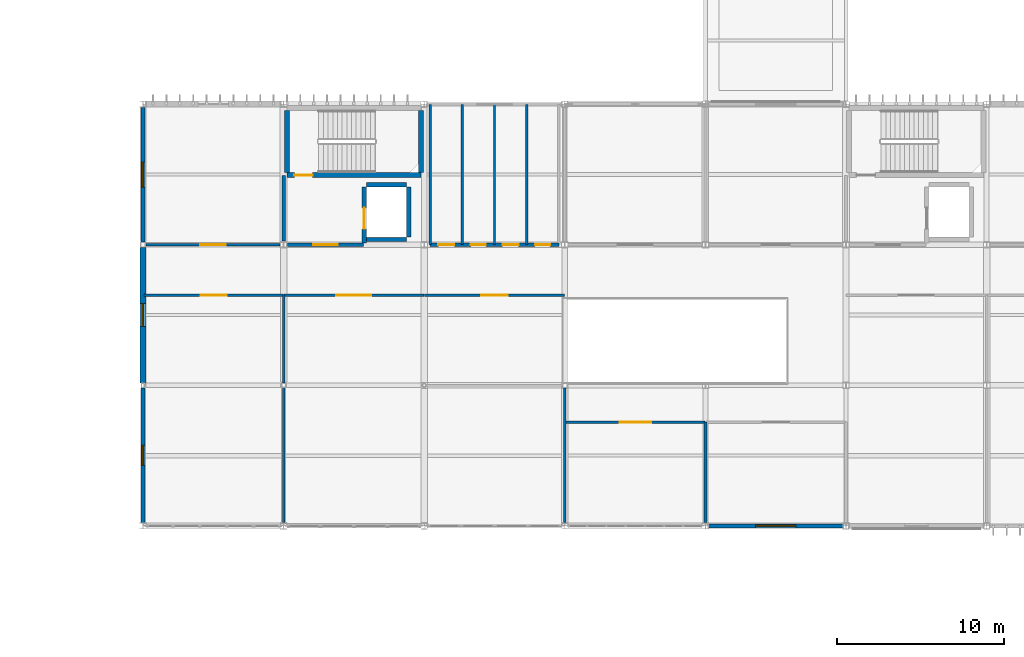
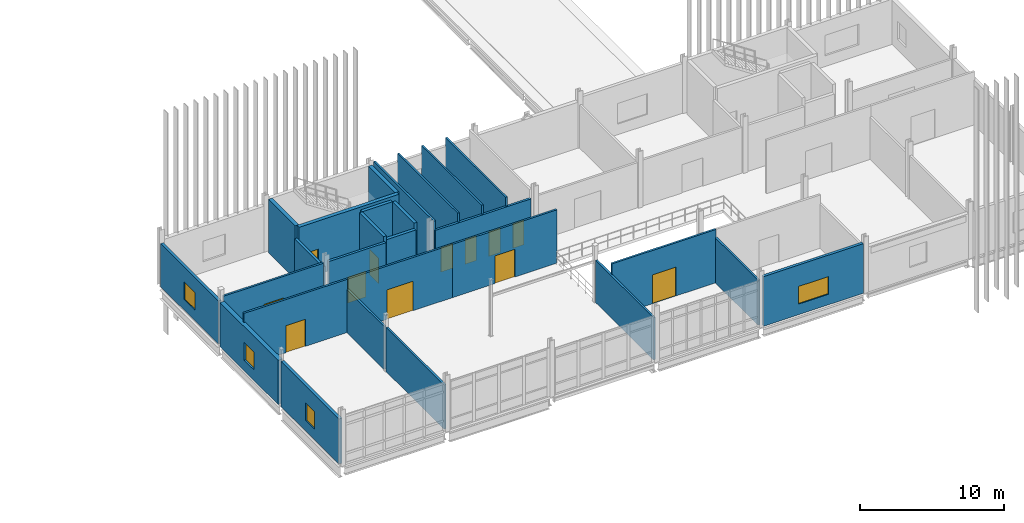
# One storey, part 49 of 72: 27 walls, 12 doors, 4 windows, 16 openings.
"""IFC4 building model written with IfcOpenShell, lengths in metres."""

from ifc_helpers import new_model, si_unit, direction, frame, frame_2d, origin, place, context, subcontext, project, spatial, rectangle, extrude, material, layer, layer_set, type_object, element, fill, save


model = new_model("IFC4")

# Units and contexts
model_context = context("Model", 3, precision=1e-05, world=origin(), true_north=direction((0.0, 1.0)))
body_context = subcontext(model_context, "Body", "Model", "MODEL_VIEW")
ifc_project = project(units=[si_unit("LENGTHUNIT", "METRE"), si_unit("AREAUNIT", "SQUARE_METRE"), si_unit("VOLUMEUNIT", "CUBIC_METRE"), si_unit("PLANEANGLEUNIT", "RADIAN"), si_unit("MASSUNIT", "GRAM", prefix="KILO")], contexts=[model_context])

# Site, building, storey
site_placement = place(None, origin())
site = spatial("IfcSite", under=ifc_project, at=site_placement, CompositionType="ELEMENT")
building_placement = place(site_placement, origin())
building = spatial("IfcBuilding", under=site, at=building_placement, Name="Calvrana Isthmian Art Gallery", CompositionType="ELEMENT")
storey_placement = place(building_placement, frame((0.0, 0.0, 15.0)))
storey = spatial("IfcBuildingStorey", under=building, at=storey_placement, Name="L03", CompositionType="ELEMENT", Elevation=15.0)

# Wall, opening, door
ifc_material_1 = material(Name="Concrete C40/50", Category="concrete")
ifc_layer_1 = layer(ifc_material_1, 0.300048828125, Name="Concrete C40/50")
ifc_layer_set_1 = layer_set([ifc_layer_1], Name="Concrete C40/50")
wall_type_1 = type_object("IfcWallType", Name="CW-SHAFT-300", PredefinedType="SHEAR", material=ifc_layer_set_1)
wall_1_placement = place(storey_placement, frame((30.18994140625, 42.56005859375, 0.0), z_axis=(0.0, 0.0, 1.0), x_axis=(1.0, 0.0, 0.0)))
wall_1 = element("IfcWall", 1, at=wall_1_placement, inside=storey, type_object=wall_type_1, Name="Core C1 shear wall S L03", PredefinedType="SHEAR", context=body_context, shape_type="SweptSolid", body=[
    extrude(rectangle(XDim=8.02001953125, YDim=0.300048828125, at=frame_2d((4.010009765625, 0.0))), origin(), (0.0, 0.0, 1.0), 4.5400390625),
])
opening_1_placement = place(wall_1_placement, frame((0.449951171875, 0.0, 0.0)))
opening_1 = element("IfcOpeningElement", 2, at=opening_1_placement, cuts=wall_1, Name="Opening D-109", PredefinedType="OPENING", context=body_context, shape_type="SweptSolid", body=[
    extrude(rectangle(XDim=1.10009765625, YDim=2.14990234375, at=frame_2d((0.550048828125, 1.074951171875))), frame((0.0, 0.16015625, 0.0), z_axis=(0.0, -1.0, 0.0), x_axis=(1.0, 0.0, 0.0)), (0.0, 0.0, 1.0), 0.320556640625),
])
ifc_material_2 = material(Name="Steel ASTM A572 Gr 50", Category="steel")
door_type_1 = type_object("IfcDoorType", Name="DR-FIRE-1100", OperationType="NOTDEFINED", PredefinedType="DOOR", material=ifc_material_2)
door_1_placement = place(opening_1_placement, origin())
door_1 = element("IfcDoor", 3, at=door_1_placement, inside=storey, type_object=door_type_1, Name="Stair ST-1 fire door L03", OperationType="SINGLE_SWING_LEFT", OverallHeight=2.14990234375, OverallWidth=1.10009765625, PredefinedType="DOOR", context=body_context, shape_type="SweptSolid", body=[
    extrude(rectangle(XDim=1.10009765625, YDim=2.14990234375, at=frame_2d((0.550048828125, 1.074951171875))), frame((0.0, 0.02490234375, 0.0), z_axis=(0.0, -1.0, 0.0), x_axis=(1.0, 0.0, 0.0)), (0.0, 0.0, 1.0), 0.050048828125),
])
fill(opening_1, door_1)

# Walls
for number, where, z_axis, x_axis, name in (
    (4, (30.18994140625, 42.7099609375, 0.0), (0.0, 0.0, 1.0), (0.0, 1.0, 0.0), "Core C1 shear wall W L03"),
    (5, (38.2099609375, 42.7099609375, 0.0), (0.0, 0.0, 1.0), (0.0, 1.0, 0.0), "Core C1 shear wall E L03"),
):
    element("IfcWall", number, at=place(storey_placement, frame(where, z_axis=z_axis, x_axis=x_axis)), inside=storey, type_object=wall_type_1, Name=name, PredefinedType="SHEAR", context=body_context, shape_type="SweptSolid", body=[
        extrude(rectangle(XDim=3.719970703125, YDim=0.300048828125, at=frame_2d((1.85986328125, 0.0))), origin(), (0.0, 0.0, 1.0), 4.5400390625),
    ])

# Wall, opening, window
ifc_material_3 = material(Name="Precast concrete C40/50", Category="concrete")
ifc_layer_2 = layer(ifc_material_3, 0.219970703125, Name="Precast concrete C40/50")
ifc_layer_set_2 = layer_set([ifc_layer_2], Name="Precast concrete C40/50")
wall_type_2 = type_object("IfcWallType", Name="EW-ACOUST-220", PredefinedType="SOLIDWALL", material=ifc_layer_set_2)
wall_2_placement = place(storey_placement, frame((63.41357421875, 21.60009765625, 0.0), z_axis=(0.0, 0.0, 1.0), x_axis=(-1.0, 0.0, 0.0)))
wall_2 = element("IfcWall", 6, at=wall_2_placement, inside=storey, type_object=wall_type_2, Name="Exterior wall EW-144", PredefinedType="SOLIDWALL", context=body_context, shape_type="SweptSolid", body=[
    extrude(rectangle(XDim=8.029541015625, YDim=0.219970703125, at=frame_2d((4.0146484375, 0.0))), origin(), (0.0, 0.0, 1.0), 4.215087890625),
])
opening_2_placement = place(wall_2_placement, frame((2.814697265625, 0.0, 0.89990234375)))
opening_2 = element("IfcOpeningElement", 7, at=opening_2_placement, cuts=wall_2, Name="Opening W-101", PredefinedType="OPENING", context=body_context, shape_type="SweptSolid", body=[
    extrude(rectangle(XDim=2.39990234375, YDim=1.5, at=frame_2d((1.199951171875, 0.75))), frame((0.0, 0.1201171875, 0.0), z_axis=(0.0, -1.0, 0.0), x_axis=(1.0, 0.0, 0.0)), (0.0, 0.0, 1.0), 0.240478515625),
])
ifc_material_4 = material(Name="Low-E laminated solar glass", Category="glass")
window_type_1 = type_object("IfcWindowType", Name="WN-G08", PartitioningType="DOUBLE_PANEL_VERTICAL", PredefinedType="WINDOW", material=ifc_material_4)
window_1_placement = place(opening_2_placement, origin())
window_1 = element("IfcWindow", 8, at=window_1_placement, inside=storey, type_object=window_type_1, Name="Facade window W-101", OverallHeight=1.5, OverallWidth=2.39990234375, PartitioningType="SINGLE_PANEL", PredefinedType="WINDOW", context=body_context, shape_type="SweptSolid", body=[
    extrude(rectangle(XDim=2.39990234375, YDim=1.5, at=frame_2d((1.199951171875, 0.75))), frame((0.0, 0.030029296875, 0.0), z_axis=(0.0, -1.0, 0.0), x_axis=(1.0, 0.0, 0.0)), (0.0, 0.0, 1.0), 0.06005859375),
])
fill(opening_2, window_1)

wall_3_placement = place(storey_placement, frame((21.60009765625, 38.552490234375, 0.0), z_axis=(0.0, 0.0, 1.0), x_axis=(0.0, 1.0, 0.0)))
wall_3 = element("IfcWall", 9, at=wall_3_placement, inside=storey, type_object=wall_type_2, Name="Exterior wall EW-164", PredefinedType="SOLIDWALL", context=body_context, shape_type="SweptSolid", body=[
    extrude(rectangle(XDim=8.06103515625, YDim=0.219970703125, at=frame_2d((4.030517578125, 0.0))), origin(), (0.0, 0.0, 1.0), 3.6640625),
])
opening_3_placement = place(wall_3_placement, frame((3.280517578125, 0.0, 0.89990234375)))
opening_3 = element("IfcOpeningElement", 10, at=opening_3_placement, cuts=wall_3, Name="Opening W-120", PredefinedType="OPENING", context=body_context, shape_type="SweptSolid", body=[
    extrude(rectangle(XDim=1.5, YDim=1.5, at=frame_2d((0.75, 0.75))), frame((0.0, 0.1201171875, 0.0), z_axis=(0.0, -1.0, 0.0), x_axis=(1.0, 0.0, 0.0)), (0.0, 0.0, 1.0), 0.240478515625),
])
window_type_2 = type_object("IfcWindowType", Name="WN-G03", PartitioningType="SINGLE_PANEL", PredefinedType="WINDOW", material=ifc_material_4)
window_2_placement = place(opening_3_placement, origin())
window_2 = element("IfcWindow", 11, at=window_2_placement, inside=storey, type_object=window_type_2, Name="Facade window W-120", OverallHeight=1.5, OverallWidth=1.5, PartitioningType="SINGLE_PANEL", PredefinedType="WINDOW", context=body_context, shape_type="SweptSolid", body=[
    extrude(rectangle(XDim=1.5, YDim=1.5, at=frame_2d((0.75, 0.75))), frame((0.0, 0.030029296875, 0.0), z_axis=(0.0, -1.0, 0.0), x_axis=(1.0, 0.0, 0.0)), (0.0, 0.0, 1.0), 0.06005859375),
])
fill(opening_3, window_2)

ifc_layer_3 = layer(ifc_material_3, 0.35009765625, Name="Precast concrete C40/50")
ifc_layer_set_3 = layer_set([ifc_layer_3], Name="Precast concrete C40/50")
wall_type_3 = type_object("IfcWallType", Name="EW-PREC-350", PredefinedType="SOLIDWALL", material=ifc_layer_set_3)
wall_4_placement = place(storey_placement, frame((21.60009765625, 30.15234375, 0.0), z_axis=(0.0, 0.0, 1.0), x_axis=(0.0, 1.0, 0.0)))
wall_4 = element("IfcWall", 12, at=wall_4_placement, inside=storey, type_object=wall_type_3, Name="Exterior wall EW-163", PredefinedType="SOLIDWALL", context=body_context, shape_type="SweptSolid", body=[
    extrude(rectangle(XDim=8.09521484375, YDim=0.35009765625, at=frame_2d((4.047607421875, 0.0))), origin(), (0.0, 0.0, 1.0), 3.748046875),
])
opening_4_placement = place(wall_4_placement, frame((3.37255859375, 0.0, 0.89990234375)))
opening_4 = element("IfcOpeningElement", 13, at=opening_4_placement, cuts=wall_4, Name="Opening W-119", PredefinedType="OPENING", context=body_context, shape_type="SweptSolid", body=[
    extrude(rectangle(XDim=1.35009765625, YDim=1.5, at=frame_2d((0.675048828125, 0.75))), frame((0.0, 0.185302734375, 0.0), z_axis=(0.0, -1.0, 0.0), x_axis=(1.0, 0.0, 0.0)), (0.0, 0.0, 1.0), 0.37060546875),
])
window_type_3 = type_object("IfcWindowType", Name="WN-G02", PartitioningType="SINGLE_PANEL", PredefinedType="WINDOW", material=ifc_material_4)
window_3_placement = place(opening_4_placement, origin())
window_3 = element("IfcWindow", 14, at=window_3_placement, inside=storey, type_object=window_type_3, Name="Facade window W-119", OverallHeight=1.5, OverallWidth=1.35009765625, PartitioningType="SINGLE_PANEL", PredefinedType="WINDOW", context=body_context, shape_type="SweptSolid", body=[
    extrude(rectangle(XDim=1.35009765625, YDim=1.5, at=frame_2d((0.675048828125, 0.75))), frame((0.0, 0.030029296875, 0.0), z_axis=(0.0, -1.0, 0.0), x_axis=(1.0, 0.0, 0.0)), (0.0, 0.0, 1.0), 0.06005859375),
])
fill(opening_4, window_3)

ifc_material_5 = material(Name="Polychrome glazed terracotta", Category="masonry")
ifc_layer_4 = layer(ifc_material_5, 0.25, Name="Polychrome glazed terracotta")
ifc_layer_set_4 = layer_set([ifc_layer_4], Name="Polychrome glazed terracotta")
wall_type_4 = type_object("IfcWallType", Name="EW-TERRA-250", PredefinedType="SOLIDWALL", material=ifc_layer_set_4)
wall_5_placement = place(storey_placement, frame((21.60009765625, 21.778076171875, 0.0), z_axis=(0.0, 0.0, 1.0), x_axis=(0.0, 1.0, 0.0)))
wall_5 = element("IfcWall", 15, at=wall_5_placement, inside=storey, type_object=wall_type_4, Name="Exterior wall EW-162", PredefinedType="SOLIDWALL", context=body_context, shape_type="SweptSolid", body=[
    extrude(rectangle(XDim=8.069580078125, YDim=0.25, at=frame_2d((4.03466796875, 0.0))), origin(), (0.0, 0.0, 1.0), 3.826904296875),
])
opening_5_placement = place(wall_5_placement, frame((3.434814453125, 0.0, 0.89990234375)))
opening_5 = element("IfcOpeningElement", 16, at=opening_5_placement, cuts=wall_5, Name="Opening W-118", PredefinedType="OPENING", context=body_context, shape_type="SweptSolid", body=[
    extrude(rectangle(XDim=1.199951171875, YDim=1.5, at=frame_2d((0.60009765625, 0.75))), frame((0.0, 0.13525390625, 0.0), z_axis=(0.0, -1.0, 0.0), x_axis=(1.0, 0.0, 0.0)), (0.0, 0.0, 1.0), 0.2705078125),
])
window_type_4 = type_object("IfcWindowType", Name="WN-G01", PartitioningType="SINGLE_PANEL", PredefinedType="WINDOW", material=ifc_material_4)
window_4_placement = place(opening_5_placement, origin())
window_4 = element("IfcWindow", 17, at=window_4_placement, inside=storey, type_object=window_type_4, Name="Facade window W-118", OverallHeight=1.5, OverallWidth=1.199951171875, PartitioningType="SINGLE_PANEL", PredefinedType="WINDOW", context=body_context, shape_type="SweptSolid", body=[
    extrude(rectangle(XDim=1.199951171875, YDim=1.5, at=frame_2d((0.60009765625, 0.75))), frame((0.0, 0.030029296875, 0.0), z_axis=(0.0, -1.0, 0.0), x_axis=(1.0, 0.0, 0.0)), (0.0, 0.0, 1.0), 0.06005859375),
])
fill(opening_5, window_4)

# Wall, openings, doors
ifc_material_6 = material(Name="Acoustic gypsum ceiling", Category="gypsum")
ifc_layer_5 = layer(ifc_material_6, 0.179931640625, Name="Acoustic gypsum ceiling")
ifc_layer_set_5 = layer_set([ifc_layer_5], Name="Acoustic gypsum ceiling")
wall_type_5 = type_object("IfcWallType", Name="PW-CORR-180", PredefinedType="PARTITIONING", material=ifc_layer_set_5)
wall_6_placement = place(storey_placement, frame((38.760009765625, 38.39990234375, 0.0), z_axis=(0.0, 0.0, 1.0), x_axis=(1.0, 0.0, 0.0)))
wall_6 = element("IfcWall", 18, at=wall_6_placement, inside=storey, type_object=wall_type_5, Name="Interior partition PW-538", PredefinedType="PARTITIONING", context=body_context, shape_type="SweptSolid", body=[
    extrude(rectangle(XDim=7.679931640625, YDim=0.179931640625, at=frame_2d((3.83984375, 0.0))), origin(), (0.0, 0.0, 1.0), 3.758056640625),
])
opening_6_placement = place(wall_6_placement, frame((0.485107421875, 0.0, 0.0)))
opening_6 = element("IfcOpeningElement", 19, at=opening_6_placement, cuts=wall_6, Name="Opening D-476", PredefinedType="OPENING", context=body_context, shape_type="SweptSolid", body=[
    extrude(rectangle(XDim=0.949951171875, YDim=2.10009765625, at=frame_2d((0.47509765625, 1.050048828125))), frame((0.0, 0.10009765625, 0.0), z_axis=(0.0, -1.0, 0.0), x_axis=(1.0, 0.0, 0.0)), (0.0, 0.0, 1.0), 0.200439453125),
])
opening_7_placement = place(wall_6_placement, frame((2.429931640625, 0.0, 0.0)))
opening_7 = element("IfcOpeningElement", 20, at=opening_7_placement, cuts=wall_6, Name="Opening D-477", PredefinedType="OPENING", context=body_context, shape_type="SweptSolid", body=[
    extrude(rectangle(XDim=0.89990234375, YDim=2.10009765625, at=frame_2d((0.449951171875, 1.050048828125))), frame((0.0, 0.10009765625, 0.0), z_axis=(0.0, -1.0, 0.0), x_axis=(1.0, 0.0, 0.0)), (0.0, 0.0, 1.0), 0.200439453125),
])
opening_8_placement = place(wall_6_placement, frame((4.324951171875, 0.0, 0.0)))
opening_8 = element("IfcOpeningElement", 21, at=opening_8_placement, cuts=wall_6, Name="Opening D-478", PredefinedType="OPENING", context=body_context, shape_type="SweptSolid", body=[
    extrude(rectangle(XDim=0.949951171875, YDim=2.10009765625, at=frame_2d((0.47509765625, 1.050048828125))), frame((0.0, 0.10009765625, 0.0), z_axis=(0.0, -1.0, 0.0), x_axis=(1.0, 0.0, 0.0)), (0.0, 0.0, 1.0), 0.200439453125),
])
opening_9_placement = place(wall_6_placement, frame((6.27001953125, 0.0, 0.0)))
opening_9 = element("IfcOpeningElement", 22, at=opening_9_placement, cuts=wall_6, Name="Opening D-479", PredefinedType="OPENING", context=body_context, shape_type="SweptSolid", body=[
    extrude(rectangle(XDim=0.89990234375, YDim=2.10009765625, at=frame_2d((0.449951171875, 1.050048828125))), frame((0.0, 0.10009765625, 0.0), z_axis=(0.0, -1.0, 0.0), x_axis=(1.0, 0.0, 0.0)), (0.0, 0.0, 1.0), 0.200439453125),
])
ifc_material_7 = material(Name="Timber gallery flooring", Category="wood")
door_type_2 = type_object("IfcDoorType", Name="DR-WC-900", OperationType="NOTDEFINED", PredefinedType="DOOR", material=ifc_material_7)
door_2_placement = place(opening_7_placement, origin())
door_2 = element("IfcDoor", 23, at=door_2_placement, inside=storey, type_object=door_type_2, Name="Interior door D-477", OperationType="SINGLE_SWING_LEFT", OverallHeight=2.10009765625, OverallWidth=0.89990234375, PredefinedType="DOOR", context=body_context, shape_type="SweptSolid", body=[
    extrude(rectangle(XDim=0.89990234375, YDim=2.10009765625, at=frame_2d((0.449951171875, 1.050048828125))), frame((0.0, 0.02490234375, 0.0), z_axis=(0.0, -1.0, 0.0), x_axis=(1.0, 0.0, 0.0)), (0.0, 0.0, 1.0), 0.050048828125),
])
fill(opening_7, door_2)
door_3_placement = place(opening_9_placement, origin())
door_3 = element("IfcDoor", 24, at=door_3_placement, inside=storey, type_object=door_type_2, Name="Interior door D-479", OperationType="SINGLE_SWING_LEFT", OverallHeight=2.10009765625, OverallWidth=0.89990234375, PredefinedType="DOOR", context=body_context, shape_type="SweptSolid", body=[
    extrude(rectangle(XDim=0.89990234375, YDim=2.10009765625, at=frame_2d((0.449951171875, 1.050048828125))), frame((0.0, 0.02490234375, 0.0), z_axis=(0.0, -1.0, 0.0), x_axis=(1.0, 0.0, 0.0)), (0.0, 0.0, 1.0), 0.050048828125),
])
fill(opening_9, door_3)
door_type_3 = type_object("IfcDoorType", Name="DR-WC-950", OperationType="NOTDEFINED", PredefinedType="DOOR", material=ifc_material_7)
door_4_placement = place(opening_6_placement, origin())
door_4 = element("IfcDoor", 25, at=door_4_placement, inside=storey, type_object=door_type_3, Name="Interior door D-476", OperationType="SINGLE_SWING_RIGHT", OverallHeight=2.10009765625, OverallWidth=0.949951171875, PredefinedType="DOOR", context=body_context, shape_type="SweptSolid", body=[
    extrude(rectangle(XDim=0.949951171875, YDim=2.10009765625, at=frame_2d((0.47509765625, 1.050048828125))), frame((0.0, 0.02490234375, 0.0), z_axis=(0.0, -1.0, 0.0), x_axis=(1.0, 0.0, 0.0)), (0.0, 0.0, 1.0), 0.050048828125),
])
fill(opening_6, door_4)
door_5_placement = place(opening_8_placement, origin())
door_5 = element("IfcDoor", 26, at=door_5_placement, inside=storey, type_object=door_type_3, Name="Interior door D-478", OperationType="SINGLE_SWING_RIGHT", OverallHeight=2.10009765625, OverallWidth=0.949951171875, PredefinedType="DOOR", context=body_context, shape_type="SweptSolid", body=[
    extrude(rectangle(XDim=0.949951171875, YDim=2.10009765625, at=frame_2d((0.47509765625, 1.050048828125))), frame((0.0, 0.02490234375, 0.0), z_axis=(0.0, -1.0, 0.0), x_axis=(1.0, 0.0, 0.0)), (0.0, 0.0, 1.0), 0.050048828125),
])
fill(opening_8, door_5)

# Wall
ifc_layer_6 = layer(ifc_material_6, 0.199951171875, Name="Acoustic gypsum ceiling")
ifc_layer_set_6 = layer_set([ifc_layer_6], Name="Acoustic gypsum ceiling")
wall_type_6 = type_object("IfcWallType", Name="PW-FIRE-200", PredefinedType="PARTITIONING", material=ifc_layer_set_6)
wall_7_placement = place(storey_placement, frame((30.0, 38.6201171875, 0.0), z_axis=(0.0, 0.0, 1.0), x_axis=(0.0, 1.0, 0.0)))
element("IfcWall", 27, at=wall_7_placement, inside=storey, type_object=wall_type_6, Name="Core C1 lobby west closure L03", PredefinedType="PARTITIONING", context=body_context, shape_type="SweptSolid", body=[
    extrude(rectangle(XDim=3.919921875, YDim=0.199951171875, at=frame_2d((1.9599609375, 0.0))), origin(), (0.0, 0.0, 1.0), 3.593017578125),
])

# Wall, opening, door
wall_8_placement = place(storey_placement, frame((30.219970703125, 38.39990234375, 0.0), z_axis=(0.0, 0.0, 1.0), x_axis=(1.0, 0.0, 0.0)))
wall_8 = element("IfcWall", 28, at=wall_8_placement, inside=storey, type_object=wall_type_6, Name="Core C1 lobby enclosure L03", PredefinedType="PARTITIONING", context=body_context, shape_type="SweptSolid", body=[
    extrude(rectangle(XDim=4.56005859375, YDim=0.199951171875, at=frame_2d((2.280029296875, 0.0))), origin(), (0.0, 0.0, 1.0), 4.12109375),
])
opening_10_placement = place(wall_8_placement, frame((1.554931640625, 0.0, 0.0)))
opening_10 = element("IfcOpeningElement", 29, at=opening_10_placement, cuts=wall_8, Name="Opening D-110", PredefinedType="OPENING", context=body_context, shape_type="SweptSolid", body=[
    extrude(rectangle(XDim=1.449951171875, YDim=2.199951171875, at=frame_2d((0.72509765625, 1.10009765625))), frame((0.0, 0.1103515625, 0.0), z_axis=(0.0, -1.0, 0.0), x_axis=(1.0, 0.0, 0.0)), (0.0, 0.0, 1.0), 0.220458984375),
])
door_type_4 = type_object("IfcDoorType", Name="DR-LOBBY-1450", OperationType="DOUBLE_DOOR_SINGLE_SWING", PredefinedType="DOOR", material=ifc_material_2)
door_6_placement = place(opening_10_placement, origin())
door_6 = element("IfcDoor", 30, at=door_6_placement, inside=storey, type_object=door_type_4, Name="Core C1 lobby fire door L03", OperationType="DOUBLE_DOOR_SINGLE_SWING", OverallHeight=2.199951171875, OverallWidth=1.449951171875, PredefinedType="DOOR", context=body_context, shape_type="SweptSolid", body=[
    extrude(rectangle(XDim=1.449951171875, YDim=2.199951171875, at=frame_2d((0.72509765625, 1.10009765625))), frame((0.0, 0.02490234375, 0.0), z_axis=(0.0, -1.0, 0.0), x_axis=(1.0, 0.0, 0.0)), (0.0, 0.0, 1.0), 0.050048828125),
])
fill(opening_10, door_6)

ifc_layer_7 = layer(ifc_material_6, 0.159912109375, Name="Acoustic gypsum ceiling")
ifc_layer_set_7 = layer_set([ifc_layer_7], Name="Acoustic gypsum ceiling")
wall_type_7 = type_object("IfcWallType", Name="PW-GAL-160", PredefinedType="PARTITIONING", material=ifc_layer_set_7)
wall_9_placement = place(storey_placement, frame((21.659912109375, 35.389892578125, 0.0), z_axis=(0.0, 0.0, 1.0), x_axis=(1.0, 0.0, 0.0)))
wall_9 = element("IfcWall", 31, at=wall_9_placement, inside=storey, type_object=wall_type_7, Name="Interior partition PW-518", PredefinedType="PARTITIONING", context=body_context, shape_type="SweptSolid", body=[
    extrude(rectangle(XDim=8.330078125, YDim=0.159912109375, at=frame_2d((4.1650390625, 0.0))), origin(), (0.0, 0.0, 1.0), 4.52001953125),
])
opening_11_placement = place(wall_9_placement, frame((3.389892578125, 0.0, 0.0)))
opening_11 = element("IfcOpeningElement", 32, at=opening_11_placement, cuts=wall_9, Name="Opening D-468", PredefinedType="OPENING", context=body_context, shape_type="SweptSolid", body=[
    extrude(rectangle(XDim=1.550048828125, YDim=2.300048828125, at=frame_2d((0.77490234375, 1.14990234375))), frame((0.0, 0.09033203125, 0.0), z_axis=(0.0, -1.0, 0.0), x_axis=(1.0, 0.0, 0.0)), (0.0, 0.0, 1.0), 0.180419921875),
])
door_type_5 = type_object("IfcDoorType", Name="DR-AUD-1550", OperationType="DOUBLE_DOOR_SINGLE_SWING", PredefinedType="DOOR", material=ifc_material_7)
door_7_placement = place(opening_11_placement, origin())
door_7 = element("IfcDoor", 33, at=door_7_placement, inside=storey, type_object=door_type_5, Name="Interior door D-468", OperationType="DOUBLE_DOOR_SINGLE_SWING", OverallHeight=2.300048828125, OverallWidth=1.550048828125, PredefinedType="DOOR", context=body_context, shape_type="SweptSolid", body=[
    extrude(rectangle(XDim=1.550048828125, YDim=2.300048828125, at=frame_2d((0.77490234375, 1.14990234375))), frame((0.0, 0.02490234375, 0.0), z_axis=(0.0, -1.0, 0.0), x_axis=(1.0, 0.0, 0.0)), (0.0, 0.0, 1.0), 0.050048828125),
])
fill(opening_11, door_7)

# Walls
wall_10_placement = place(storey_placement, frame((30.0, 21.801513671875, 0.0), z_axis=(0.0, 0.0, 1.0), x_axis=(0.0, 1.0, 0.0)))
element("IfcWall", 34, at=wall_10_placement, inside=storey, type_object=wall_type_7, Name="Interior partition PW-519", PredefinedType="PARTITIONING", context=body_context, shape_type="SweptSolid", body=[
    extrude(rectangle(XDim=8.056396484375, YDim=0.159912109375, at=frame_2d((4.0283203125, 0.0))), origin(), (0.0, 0.0, 1.0), 3.748046875),
])
wall_11_placement = place(storey_placement, frame((30.0, 30.14208984375, 0.0), z_axis=(0.0, 0.0, 1.0), x_axis=(0.0, 1.0, 0.0)))
element("IfcWall", 35, at=wall_11_placement, inside=storey, type_object=wall_type_7, Name="Interior partition PW-520", PredefinedType="PARTITIONING", context=body_context, shape_type="SweptSolid", body=[
    extrude(rectangle(XDim=5.23779296875, YDim=0.159912109375, at=frame_2d((2.618896484375, 0.0))), origin(), (0.0, 0.0, 1.0), 3.6640625),
])

# Wall, opening, door
wall_12_placement = place(storey_placement, frame((30.010009765625, 35.389892578125, 0.0), z_axis=(0.0, 0.0, 1.0), x_axis=(1.0, 0.0, 0.0)))
wall_12 = element("IfcWall", 36, at=wall_12_placement, inside=storey, type_object=wall_type_7, Name="Interior partition PW-521", PredefinedType="PARTITIONING", context=body_context, shape_type="SweptSolid", body=[
    extrude(rectangle(XDim=8.3798828125, YDim=0.159912109375, at=frame_2d((4.18994140625, 0.0))), origin(), (0.0, 0.0, 1.0), 4.52001953125),
])
opening_12_placement = place(wall_12_placement, frame((3.139892578125, 0.0, 0.0)))
opening_12 = element("IfcOpeningElement", 37, at=opening_12_placement, cuts=wall_12, Name="Opening D-469", PredefinedType="OPENING", context=body_context, shape_type="SweptSolid", body=[
    extrude(rectangle(XDim=2.10009765625, YDim=2.5, at=frame_2d((1.050048828125, 1.25))), frame((0.0, 0.09033203125, 0.0), z_axis=(0.0, -1.0, 0.0), x_axis=(1.0, 0.0, 0.0)), (0.0, 0.0, 1.0), 0.180419921875),
])
door_type_6 = type_object("IfcDoorType", Name="DR-GAL-2100", OperationType="DOUBLE_DOOR_SINGLE_SWING", PredefinedType="DOOR", material=ifc_material_7)
door_8_placement = place(opening_12_placement, origin())
door_8 = element("IfcDoor", 38, at=door_8_placement, inside=storey, type_object=door_type_6, Name="Interior door D-469", OperationType="DOUBLE_DOOR_SINGLE_SWING", OverallHeight=2.5, OverallWidth=2.10009765625, PredefinedType="DOOR", context=body_context, shape_type="SweptSolid", body=[
    extrude(rectangle(XDim=2.10009765625, YDim=2.5, at=frame_2d((1.050048828125, 1.25))), frame((0.0, 0.02490234375, 0.0), z_axis=(0.0, -1.0, 0.0), x_axis=(1.0, 0.0, 0.0)), (0.0, 0.0, 1.0), 0.050048828125),
])
fill(opening_12, door_8)

wall_13_placement = place(storey_placement, frame((38.409912109375, 35.389892578125, 0.0), z_axis=(0.0, 0.0, 1.0), x_axis=(1.0, 0.0, 0.0)))
wall_13 = element("IfcWall", 39, at=wall_13_placement, inside=storey, type_object=wall_type_7, Name="Interior partition PW-522", PredefinedType="PARTITIONING", context=body_context, shape_type="SweptSolid", body=[
    extrude(rectangle(XDim=8.380126953125, YDim=0.159912109375, at=frame_2d((4.18994140625, 0.0))), origin(), (0.0, 0.0, 1.0), 4.52001953125),
])
opening_13_placement = place(wall_13_placement, frame((3.389892578125, 0.0, 0.0)))
opening_13 = element("IfcOpeningElement", 40, at=opening_13_placement, cuts=wall_13, Name="Opening D-470", PredefinedType="OPENING", context=body_context, shape_type="SweptSolid", body=[
    extrude(rectangle(XDim=1.60009765625, YDim=2.35009765625, at=frame_2d((0.800048828125, 1.175048828125))), frame((0.0, 0.09033203125, 0.0), z_axis=(0.0, -1.0, 0.0), x_axis=(1.0, 0.0, 0.0)), (0.0, 0.0, 1.0), 0.180419921875),
])
door_type_7 = type_object("IfcDoorType", Name="DR-GAL-1600", OperationType="DOUBLE_DOOR_SINGLE_SWING", PredefinedType="DOOR", material=ifc_material_7)
door_9_placement = place(opening_13_placement, origin())
door_9 = element("IfcDoor", 41, at=door_9_placement, inside=storey, type_object=door_type_7, Name="Interior door D-470", OperationType="DOUBLE_DOOR_SINGLE_SWING", OverallHeight=2.35009765625, OverallWidth=1.60009765625, PredefinedType="DOOR", context=body_context, shape_type="SweptSolid", body=[
    extrude(rectangle(XDim=1.60009765625, YDim=2.35009765625, at=frame_2d((0.800048828125, 1.175048828125))), frame((0.0, 0.02490234375, 0.0), z_axis=(0.0, -1.0, 0.0), x_axis=(1.0, 0.0, 0.0)), (0.0, 0.0, 1.0), 0.050048828125),
])
fill(opening_13, door_9)

# Wall
wall_14_placement = place(storey_placement, frame((46.800048828125, 21.79638671875, 0.0), z_axis=(0.0, 0.0, 1.0), x_axis=(0.0, 1.0, 0.0)))
element("IfcWall", 42, at=wall_14_placement, inside=storey, type_object=wall_type_7, Name="Interior partition PW-523", PredefinedType="PARTITIONING", context=body_context, shape_type="SweptSolid", body=[
    extrude(rectangle(XDim=8.0361328125, YDim=0.159912109375, at=frame_2d((4.01806640625, 0.0))), origin(), (0.0, 0.0, 1.0), 3.593017578125),
])

# Wall, opening, door
wall_15_placement = place(storey_placement, frame((46.820068359375, 27.800048828125, 0.0), z_axis=(0.0, 0.0, 1.0), x_axis=(1.0, 0.0, 0.0)))
wall_15 = element("IfcWall", 43, at=wall_15_placement, inside=storey, type_object=wall_type_7, Name="Interior partition PW-524", PredefinedType="PARTITIONING", context=body_context, shape_type="SweptSolid", body=[
    extrude(rectangle(XDim=8.35986328125, YDim=0.159912109375, at=frame_2d((4.179931640625, 0.0))), origin(), (0.0, 0.0, 1.0), 4.52001953125),
])
opening_14_placement = place(wall_15_placement, frame((3.25, 0.0, 0.0)))
opening_14 = element("IfcOpeningElement", 44, at=opening_14_placement, cuts=wall_15, Name="Opening D-471", PredefinedType="OPENING", context=body_context, shape_type="SweptSolid", body=[
    extrude(rectangle(XDim=1.89990234375, YDim=2.449951171875, at=frame_2d((0.949951171875, 1.22509765625))), frame((0.0, 0.09033203125, 0.0), z_axis=(0.0, -1.0, 0.0), x_axis=(1.0, 0.0, 0.0)), (0.0, 0.0, 1.0), 0.180419921875),
])
door_type_8 = type_object("IfcDoorType", Name="DR-GAL-1900", OperationType="DOUBLE_DOOR_SINGLE_SWING", PredefinedType="DOOR", material=ifc_material_7)
door_10_placement = place(opening_14_placement, origin())
door_10 = element("IfcDoor", 45, at=door_10_placement, inside=storey, type_object=door_type_8, Name="Interior door D-471", OperationType="DOUBLE_DOOR_SINGLE_SWING", OverallHeight=2.449951171875, OverallWidth=1.89990234375, PredefinedType="DOOR", context=body_context, shape_type="SweptSolid", body=[
    extrude(rectangle(XDim=1.89990234375, YDim=2.449951171875, at=frame_2d((0.949951171875, 1.22509765625))), frame((0.0, 0.02490234375, 0.0), z_axis=(0.0, -1.0, 0.0), x_axis=(1.0, 0.0, 0.0)), (0.0, 0.0, 1.0), 0.050048828125),
])
fill(opening_14, door_10)

# Wall
wall_16_placement = place(storey_placement, frame((55.199951171875, 21.79296875, 0.0), z_axis=(0.0, 0.0, 1.0), x_axis=(0.0, 1.0, 0.0)))
element("IfcWall", 46, at=wall_16_placement, inside=storey, type_object=wall_type_7, Name="Interior partition PW-525", PredefinedType="PARTITIONING", context=body_context, shape_type="SweptSolid", body=[
    extrude(rectangle(XDim=6.007080078125, YDim=0.159912109375, at=frame_2d((3.00341796875, 0.0))), origin(), (0.0, 0.0, 1.0), 3.826904296875),
])

# Wall, opening, door
wall_17_placement = place(storey_placement, frame((21.767333984375, 38.39990234375, 0.0), z_axis=(0.0, 0.0, 1.0), x_axis=(1.0, 0.0, 0.0)))
wall_17 = element("IfcWall", 47, at=wall_17_placement, inside=storey, type_object=wall_type_7, Name="Interior partition PW-532", PredefinedType="PARTITIONING", context=body_context, shape_type="SweptSolid", body=[
    extrude(rectangle(XDim=8.0322265625, YDim=0.159912109375, at=frame_2d((4.01611328125, 0.0))), origin(), (0.0, 0.0, 1.0), 4.12109375),
])
opening_15_placement = place(wall_17_placement, frame((3.240966796875, 0.0, 0.0)))
opening_15 = element("IfcOpeningElement", 48, at=opening_15_placement, cuts=wall_17, Name="Opening D-475", PredefinedType="OPENING", context=body_context, shape_type="SweptSolid", body=[
    extrude(rectangle(XDim=1.550048828125, YDim=2.300048828125, at=frame_2d((0.77490234375, 1.14990234375))), frame((0.0, 0.09033203125, 0.0), z_axis=(0.0, -1.0, 0.0), x_axis=(1.0, 0.0, 0.0)), (0.0, 0.0, 1.0), 0.180419921875),
])
door_11_placement = place(opening_15_placement, origin())
door_11 = element("IfcDoor", 49, at=door_11_placement, inside=storey, type_object=door_type_5, Name="Interior door D-475", OperationType="DOUBLE_DOOR_SINGLE_SWING", OverallHeight=2.300048828125, OverallWidth=1.550048828125, PredefinedType="DOOR", context=body_context, shape_type="SweptSolid", body=[
    extrude(rectangle(XDim=1.550048828125, YDim=2.300048828125, at=frame_2d((0.77490234375, 1.14990234375))), frame((0.0, 0.02490234375, 0.0), z_axis=(0.0, -1.0, 0.0), x_axis=(1.0, 0.0, 0.0)), (0.0, 0.0, 1.0), 0.050048828125),
])
fill(opening_15, door_11)

# Walls
wall_18_placement = place(storey_placement, frame((38.760009765625, 38.409912109375, 0.0), z_axis=(0.0, 0.0, 1.0), x_axis=(0.0, 1.0, 0.0)))
element("IfcWall", 50, at=wall_18_placement, inside=storey, type_object=wall_type_7, Name="Interior partition PW-536", PredefinedType="PARTITIONING", context=body_context, shape_type="SweptSolid", body=[
    extrude(rectangle(XDim=8.360107421875, YDim=0.159912109375, at=frame_2d((4.18017578125, 0.0))), origin(), (0.0, 0.0, 1.0), 4.52001953125),
])
ifc_material_8 = material(Name="Concrete C35/45", Category="concrete")
ifc_layer_8 = layer(ifc_material_8, 0.25, Name="Concrete C35/45")
ifc_layer_set_8 = layer_set([ifc_layer_8], Name="Concrete C35/45")
wall_type_8 = type_object("IfcWallType", Name="PW-SHAFT-250", PredefinedType="PARTITIONING", material=ifc_layer_set_8)
wall_19_placement = place(storey_placement, frame((37.47998046875, 38.85009765625, 0.0), z_axis=(0.0, 0.0, 1.0), x_axis=(0.0, 1.0, 0.0)))
element("IfcWall", 51, at=wall_19_placement, inside=storey, type_object=wall_type_8, Name="Lift EL-01 shaft wall E L03", PredefinedType="PARTITIONING", context=body_context, shape_type="SweptSolid", body=[
    extrude(rectangle(XDim=3.0, YDim=0.25, at=frame_2d((1.5, 0.0))), origin(), (0.0, 0.0, 1.0), 4.5400390625),
])
wall_20_placement = place(storey_placement, frame((34.949951171875, 38.719970703125, 0.0), z_axis=(0.0, 0.0, 1.0), x_axis=(1.0, 0.0, 0.0)))
element("IfcWall", 52, at=wall_20_placement, inside=storey, type_object=wall_type_8, Name="Lift EL-01 shaft wall S L03", PredefinedType="PARTITIONING", context=body_context, shape_type="SweptSolid", body=[
    extrude(rectangle(XDim=2.400146484375, YDim=0.25, at=frame_2d((1.2001953125, 0.0))), origin(), (0.0, 0.0, 1.0), 4.12109375),
])
wall_21_placement = place(storey_placement, frame((34.949951171875, 41.97998046875, 0.0), z_axis=(0.0, 0.0, 1.0), x_axis=(1.0, 0.0, 0.0)))
element("IfcWall", 53, at=wall_21_placement, inside=storey, type_object=wall_type_8, Name="Lift EL-01 shaft wall N L03", PredefinedType="PARTITIONING", context=body_context, shape_type="SweptSolid", body=[
    extrude(rectangle(XDim=2.400146484375, YDim=0.25, at=frame_2d((1.2001953125, 0.0))), origin(), (0.0, 0.0, 1.0), 4.5400390625),
])

# Wall, opening, door
wall_22_placement = place(storey_placement, frame((34.820068359375, 38.5, 0.0), z_axis=(0.0, 0.0, 1.0), x_axis=(0.0, 1.0, 0.0)))
wall_22 = element("IfcWall", 54, at=wall_22_placement, inside=storey, type_object=wall_type_8, Name="Lift EL-01 shaft wall W L03", PredefinedType="PARTITIONING", context=body_context, shape_type="SweptSolid", body=[
    extrude(rectangle(XDim=3.35009765625, YDim=0.25, at=frame_2d((1.675048828125, 0.0))), origin(), (0.0, 0.0, 1.0), 4.5400390625),
])
opening_16_placement = place(wall_22_placement, frame((0.85009765625, 0.0, 0.0)))
opening_16 = element("IfcOpeningElement", 55, at=opening_16_placement, cuts=wall_22, Name="Opening LD-01-L03", PredefinedType="OPENING", context=body_context, shape_type="SweptSolid", body=[
    extrude(rectangle(XDim=1.25, YDim=2.14990234375, at=frame_2d((0.625, 1.074951171875))), frame((0.0, 0.13525390625, 0.0), z_axis=(0.0, -1.0, 0.0), x_axis=(1.0, 0.0, 0.0)), (0.0, 0.0, 1.0), 0.2705078125),
])
ifc_material_9 = material(Name="Stainless steel 316", Category="steel")
door_type_9 = type_object("IfcDoorType", Name="DR-LIFT-1250", OperationType="DOUBLE_DOOR_SLIDING", PredefinedType="DOOR", material=ifc_material_9)
door_12_placement = place(opening_16_placement, origin())
door_12 = element("IfcDoor", 56, at=door_12_placement, inside=storey, type_object=door_type_9, Name="Lift EL-01 sliding landing door L03", OperationType="DOUBLE_DOOR_SLIDING", OverallHeight=2.14990234375, OverallWidth=1.25, PredefinedType="DOOR", context=body_context, shape_type="SweptSolid", body=[
    extrude(rectangle(XDim=1.25, YDim=2.14990234375, at=frame_2d((0.625, 1.074951171875))), frame((0.0, 0.02490234375, 0.0), z_axis=(0.0, -1.0, 0.0), x_axis=(1.0, 0.0, 0.0)), (0.0, 0.0, 1.0), 0.050048828125),
])
fill(opening_16, door_12)

# Walls
ifc_layer_9 = layer(ifc_material_6, 0.139892578125, Name="Acoustic gypsum ceiling")
ifc_layer_set_9 = layer_set([ifc_layer_9], Name="Acoustic gypsum ceiling")
wall_type_9 = type_object("IfcWallType", Name="PW-WC-140", PredefinedType="PARTITIONING", material=ifc_layer_set_9)
for number, where, z_axis, x_axis, name in (
    (57, (40.679931640625, 38.409912109375, 0.0), (0.0, 0.0, 1.0), (0.0, 1.0, 0.0), "Interior partition PW-533"),
    (58, (42.60009765625, 38.409912109375, 0.0), (0.0, 0.0, 1.0), (0.0, 1.0, 0.0), "Interior partition PW-534"),
    (59, (44.52001953125, 38.409912109375, 0.0), (0.0, 0.0, 1.0), (0.0, 1.0, 0.0), "Interior partition PW-535"),
):
    element("IfcWall", number, at=place(storey_placement, frame(where, z_axis=z_axis, x_axis=x_axis)), inside=storey, type_object=wall_type_9, Name=name, PredefinedType="PARTITIONING", context=body_context, shape_type="SweptSolid", body=[
        extrude(rectangle(XDim=8.360107421875, YDim=0.139892578125, at=frame_2d((4.18017578125, 0.0))), origin(), (0.0, 0.0, 1.0), 4.52001953125),
    ])

save(model, "model.ifc")
